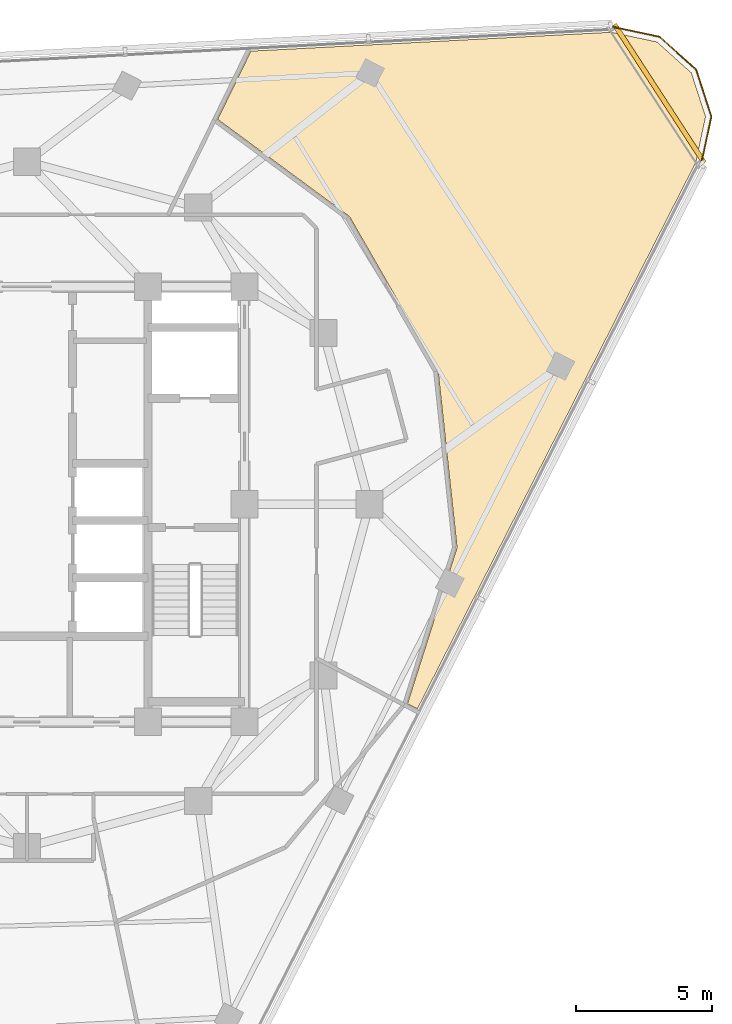
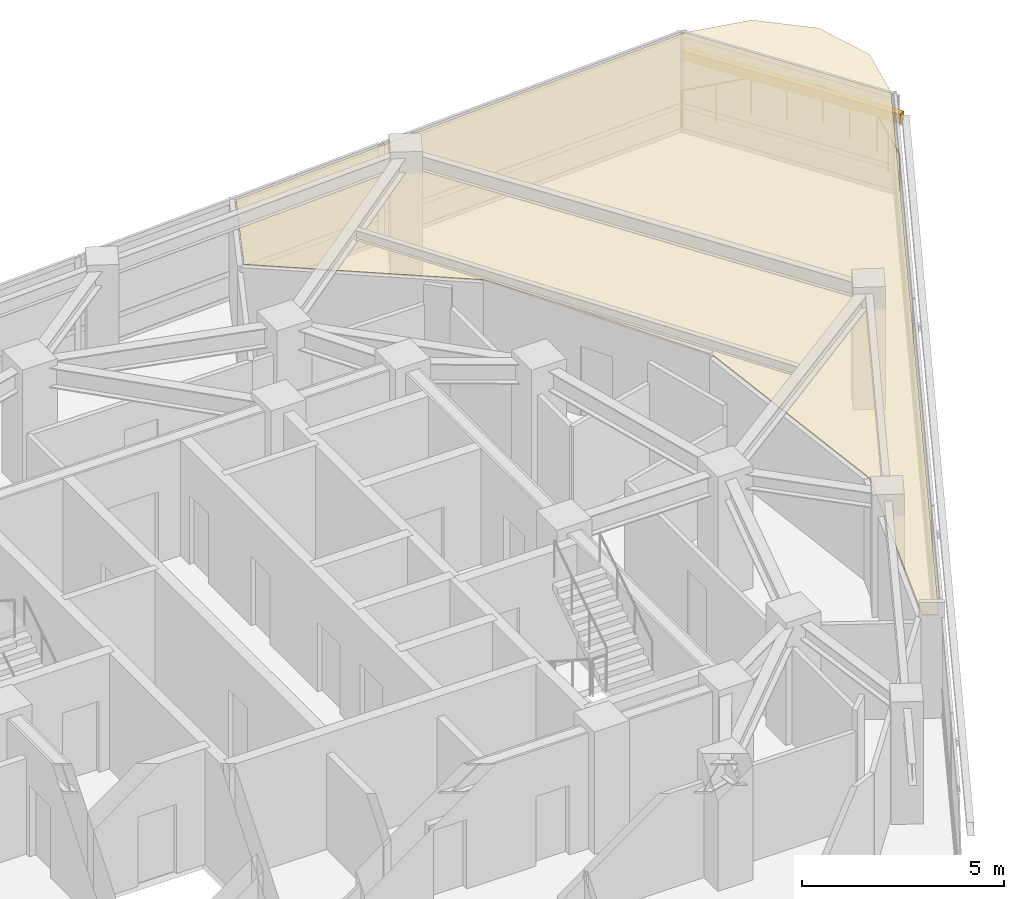
# One storey, part 15 of 15: 1 covering, 1 railing, 1 shading device.
"""IFC4 building model written with IfcOpenShell, lengths in metres."""

import ifcopenshell
import ifcopenshell.guid

model = None  # the IFC model being written
_history = None  # IfcOwnerHistory: only IFC2X3 demands one
_inside = {}  # id of a spatial element -> (the spatial element, [elements in it])
_under = {}  # id of a project, library or spatial element -> (it, [spatial elements below it])
_declared = {}  # id of a project -> (the project, [libraries it declares])
_typed = {}  # id of a type object -> (the type object, [elements of that type])
_made_of = {}  # id of a material, layer set ... -> (it, [elements and type objects made of it])


def new_model(schema):
    """Start an empty IFC model of exactly this schema.

    Asked for "IFC4X3", IfcOpenShell would pick the latest addendum, in which some entities
    have other attributes; the version numbers below select the first issue.
    IFC2X3 requires an IfcOwnerHistory on every rooted entity: one is made here for all.
    """
    global model, _history
    if schema == "IFC4X3":
        model = ifcopenshell.file(schema_version=(4, 3, 0, 0))
    else:
        model = ifcopenshell.file(schema=schema)
    _inside.clear()
    _under.clear()
    _declared.clear()
    _typed.clear()
    _made_of.clear()
    _history = None
    if model.schema == "IFC2X3":
        org = make("IfcOrganization", Name="unknown")
        user = make(
            "IfcPersonAndOrganization",
            ThePerson=make("IfcPerson", FamilyName="unknown"),
            TheOrganization=org,
        )
        app = make(
            "IfcApplication",
            ApplicationDeveloper=org,
            Version="unknown",
            ApplicationFullName="unknown",
            ApplicationIdentifier="unknown",
        )
        _history = make(
            "IfcOwnerHistory",
            OwningUser=user,
            OwningApplication=app,
            ChangeAction="ADDED",
            CreationDate=0,
        )
    return model


def make(cls, **values):
    """One entity of the class cls with the attributes given. An attribute that is None is left unset."""
    return model.create_entity(
        cls, **{name: value for name, value in values.items() if value is not None}
    )


def rooted(cls, **values):
    """An entity with a GlobalId (a new one), such as an element, a storey or a relation."""
    return make(cls, GlobalId=ifcopenshell.guid.new(), OwnerHistory=_history, **values)


def si_unit(unit_type, name, prefix=None):
    """IfcSIUnit, for example si_unit("LENGTHUNIT", "METRE", prefix="MILLI")."""
    return make("IfcSIUnit", UnitType=unit_type, Prefix=prefix, Name=name)


def assignment(units):
    """IfcUnitAssignment: the units of a project."""
    return None if units is None else make("IfcUnitAssignment", Units=units)


def point(xyz):
    """IfcCartesianPoint."""
    return None if xyz is None else make("IfcCartesianPoint", Coordinates=xyz)


def direction(xyz):
    """IfcDirection."""
    return None if xyz is None else make("IfcDirection", DirectionRatios=xyz)


def frame(location, z_axis=None, x_axis=None):
    """IfcAxis2Placement3D, a coordinate frame: its origin and axes. An axis left out is left unset."""
    return make(
        "IfcAxis2Placement3D",
        Location=point(location),
        Axis=direction(z_axis),
        RefDirection=direction(x_axis),
    )


def frame_2d(location, x_axis=None):
    """IfcAxis2Placement2D, a coordinate frame in the plane: its origin and x axis."""
    return make(
        "IfcAxis2Placement2D", Location=point(location), RefDirection=direction(x_axis)
    )


def origin():
    """The frame at (0, 0, 0) with its axes left unset."""
    return frame((0.0, 0.0, 0.0))


def origin_2d():
    """The frame at (0, 0) in the plane with its x axis left unset."""
    return frame_2d((0.0, 0.0))


def place(relative_to, where):
    """IfcLocalPlacement: puts the frame where relative to a parent placement (None: the world)."""
    return make(
        "IfcLocalPlacement", PlacementRelTo=relative_to, RelativePlacement=where
    )


def context(
    kind, dimensions, precision=None, world=None, true_north=None, identifier=None
):
    """IfcGeometricRepresentationContext, for example the 3D "Model" context."""
    return make(
        "IfcGeometricRepresentationContext",
        ContextIdentifier=identifier,
        ContextType=kind,
        CoordinateSpaceDimension=dimensions,
        Precision=precision,
        WorldCoordinateSystem=world,
        TrueNorth=true_north,
    )


def subcontext(parent, identifier, kind, view, scale=None):
    """IfcGeometricRepresentationSubContext, for example "Body" below "Model"."""
    return make(
        "IfcGeometricRepresentationSubContext",
        ContextIdentifier=identifier,
        ContextType=kind,
        ParentContext=parent,
        TargetScale=scale,
        TargetView=view,
    )


def project(units=None, contexts=None):
    """IfcProject with its units and contexts."""
    return rooted(
        "IfcProject",
        Name="project",
        RepresentationContexts=contexts,
        UnitsInContext=assignment(units),
    )


def spatial(cls, under=None, at=None, **own):
    """A site, building, storey or space (cls), placed at a placement, below another one or the project."""
    s = rooted(cls, ObjectPlacement=at, **own)
    if under is not None:
        _under.setdefault(under.id(), (under, []))[1].append(s)
    return s


def polyline(points):
    """IfcPolyline through the points."""
    return make("IfcPolyline", Points=[point(p) for p in points])


def profile(cls, at=None, kind="AREA", **sizes):
    """A parametric profile (cls). Its sizes go by their IFC names, for example OverallWidth=200.0."""
    return make(cls, ProfileType=kind, Position=at, **sizes)


def rectangle(**sizes):
    """IfcRectangleProfileDef."""
    return profile("IfcRectangleProfileDef", **sizes)


def circle(**sizes):
    """IfcCircleProfileDef."""
    return profile("IfcCircleProfileDef", **sizes)


def outline(outer, holes=None, kind="AREA"):
    """IfcArbitraryClosedProfileDef: a profile drawn as a closed curve; with holes, ...WithVoids."""
    if holes is None:
        return make("IfcArbitraryClosedProfileDef", ProfileType=kind, OuterCurve=outer)
    return make(
        "IfcArbitraryProfileDefWithVoids",
        ProfileType=kind,
        OuterCurve=outer,
        InnerCurves=holes,
    )


def extrude(swept, where, along, depth):
    """IfcExtrudedAreaSolid: the profile swept, set in the frame where, extruded along a direction by depth."""
    return make(
        "IfcExtrudedAreaSolid",
        SweptArea=swept,
        Position=where,
        ExtrudedDirection=direction(along),
        Depth=depth,
    )


def shape(context_of_items, identifier, shape_type, items):
    """IfcShapeRepresentation: the items that make up one representation, for example the "Body"."""
    return make(
        "IfcShapeRepresentation",
        ContextOfItems=context_of_items,
        RepresentationIdentifier=identifier,
        RepresentationType=shape_type,
        Items=items,
    )


def material(Name=None, Category=None):
    """IfcMaterial."""
    return make("IfcMaterial", Name=Name, Category=Category)


def layer(
    of_material, thickness, ventilated=None, Name=None, Category=None, Priority=None
):
    """IfcMaterialLayer: one layer of a wall or slab, of a material (None: an air gap)."""
    return make(
        "IfcMaterialLayer",
        Material=of_material,
        LayerThickness=thickness,
        IsVentilated=ventilated,
        Name=Name,
        Category=Category,
        Priority=Priority,
    )


def layer_set(layers, Name=None):
    """IfcMaterialLayerSet."""
    return make("IfcMaterialLayerSet", MaterialLayers=layers, LayerSetName=Name)


def made_of(thing, what):
    """Note that an element or type object is made of a material, layer set ...; save() writes the relation."""
    if what is not None:
        _made_of.setdefault(what.id(), (what, []))[1].append(thing)
    return thing


def type_object(cls, material=None, **own):
    """A type object (cls), such as IfcWallType, which elements share."""
    return made_of(rooted(cls, **own), material)


def element(
    cls,
    number,
    at=None,
    inside=None,
    cuts=None,
    type_object=None,
    material=None,
    context=None,
    identifier="Body",
    shape_type=None,
    held_by="IfcProductDefinitionShape",
    body=None,
    shapes=None,
    **own,
):
    """One element of the class cls, such as IfcWall. Its Tag is "e" and its number.

    at: its placement. inside: the storey or other place that contains it. cuts: it is an
    opening in that element (IfcRelVoidsElement). A single representation is given by context,
    identifier, shape_type and body (its items); several are given by shapes. held_by: the class
    of the entity that holds the representations. save() writes the other relations.
    """
    e = rooted(cls, Tag="e%d" % number, ObjectPlacement=at, **own)
    if body is not None:
        shapes = [shape(context, identifier, shape_type, body)]
    if shapes is not None:
        e.Representation = make(held_by, Representations=shapes)
    if inside is not None:
        _inside.setdefault(inside.id(), (inside, []))[1].append(e)
    if cuts is not None:
        rooted(
            "IfcRelVoidsElement", RelatingBuildingElement=cuts, RelatedOpeningElement=e
        )
    if type_object is not None:
        _typed.setdefault(type_object.id(), (type_object, []))[1].append(e)
    return made_of(e, material)


def aggregate(whole, parts):
    """IfcRelAggregates: a whole, such as a stair, and the parts it consists of."""
    return rooted("IfcRelAggregates", RelatingObject=whole, RelatedObjects=parts)


def save(model, path):
    """Write the relations noted so far, then the file.

    IfcRelAggregates (storeys below a building ...), IfcRelContainedInSpatialStructure (elements
    in a storey), IfcRelDefinesByType, IfcRelAssociatesMaterial and IfcRelDeclares: one each for
    every whole, place, type object, material and project.
    """
    for whole, parts in _under.values():
        aggregate(whole, parts)
    for where, things in _inside.values():
        rooted(
            "IfcRelContainedInSpatialStructure",
            RelatedElements=things,
            RelatingStructure=where,
        )
    for kind, things in _typed.values():
        rooted("IfcRelDefinesByType", RelatedObjects=things, RelatingType=kind)
    for what, things in _made_of.values():
        rooted("IfcRelAssociatesMaterial", RelatedObjects=things, RelatingMaterial=what)
    for by, libraries in _declared.values():
        rooted("IfcRelDeclares", RelatingContext=by, RelatedDefinitions=libraries)
    model.write(path)


model = new_model("IFC4")

# Units and contexts
model_context = context("Model", 3, precision=1e-05, world=origin(), true_north=direction((0.0, 1.0)))
body_context = subcontext(model_context, "Body", "Model", "MODEL_VIEW")
ifc_project = project(units=[si_unit("LENGTHUNIT", "METRE"), si_unit("AREAUNIT", "SQUARE_METRE"), si_unit("VOLUMEUNIT", "CUBIC_METRE"), si_unit("PLANEANGLEUNIT", "RADIAN"), si_unit("MASSUNIT", "GRAM", prefix="KILO")], contexts=[model_context])

# Site, building, storey
site_placement = place(None, origin())
site = spatial("IfcSite", under=ifc_project, at=site_placement, CompositionType="ELEMENT")
building_placement = place(site_placement, origin())
building = spatial("IfcBuilding", under=site, at=building_placement, Name="Terralouvre Media Tower", CompositionType="ELEMENT")
storey_placement = place(building_placement, frame((0.0, 0.0, 263.300048828125)))
storey = spatial("IfcBuildingStorey", under=building, at=storey_placement, Name="L68", CompositionType="ELEMENT", Elevation=263.300048828125)

# Covering
ifc_material_1 = material(Name="Perforated aluminium acoustic ceiling baffle", Category="aluminium")
ifc_layer_1 = layer(ifc_material_1, 0.0400390625, Name="Perforated Acoustic Metal Tile Ceiling CL-AC1")
ifc_layer_set_1 = layer_set([ifc_layer_1], Name="Perforated aluminium acoustic ceiling baffle")
covering_type = type_object("IfcCoveringType", Name="Perforated Acoustic Metal Tile Ceiling CL-AC1", PredefinedType="CEILING", material=ifc_layer_set_1)
covering_placement = place(storey_placement, frame((0.0, 0.0, 2.97998046875), z_axis=(0.0, 0.0, 1.0), x_axis=(0.45399049974, 0.891006524188, 0.0)))
element("IfcCovering", 1, at=covering_placement, inside=storey, type_object=covering_type, Name="L68 Breaking Desk Editorial Office 6 Acoustic Ceiling", PredefinedType="CEILING", context=body_context, shape_type="SweptSolid", body=[
    extrude(outline(polyline([(14.824462890625, -5.742919921875), (14.822265625, -5.753173828125), (14.819091796875, -5.762939453125), (14.81494140625, -5.7724609375), (14.8095703125, -5.781494140625), (11.255859375, -11.227294921875), (11.249755859375, -11.23583984375), (11.24267578125, -11.243408203125), (11.235107421875, -11.25048828125), (11.2265625, -11.256591796875), (5.781494140625, -14.809814453125), (5.7724609375, -14.815185546875), (5.762939453125, -14.8193359375), (5.753173828125, -14.822509765625), (5.742919921875, -14.824951171875), (-0.176025390625, -15.801513671875), (-0.182861328125, -16.212158203125), (22.371337890625, -16.212646484375), (24.036376953125, -15.766845703125), (25.234130859375, -14.569091796875), (25.672119140625, -12.9326171875), (25.226318359375, -11.267578125), (18.591552734375, 0.224853515625), (15.8017578125, 0.175537109375), (14.824462890625, -5.742919921875)])), origin(), (0.0, 0.0, 1.0), 0.0400390625),
])

# Railing
ifc_material_2 = material(Name="Stainless steel 316 handrail and balustrade", Category="steel")
ifc_layer_2 = layer(ifc_material_2, 0.06005859375, Name="Roof Edge Safety Guardrail GR-ROOF1")
ifc_layer_set_2 = layer_set([ifc_layer_2], Name="Stainless steel 316 handrail and balustrade")
railing_type = type_object("IfcRailingType", Name="Roof Edge Safety Guardrail GR-ROOF1", PredefinedType="GUARDRAIL", material=ifc_layer_set_2)
railing_placement = place(storey_placement, frame((24.797607421875, 12.491455078125, 0.0)))
element("IfcRailing", 2, at=railing_placement, inside=storey, type_object=railing_type, Name="L68 Wind-Corner Perimeter Safety Guardrail C1", PredefinedType="GUARDRAIL", context=body_context, shape_type="SweptSolid", body=[
    extrude(circle(Radius=0.02099609375, at=origin_2d()), frame((0.0, 0.0, 1.12890625), z_axis=(0.208129595218, 0.978101258354, 0.0), x_axis=(-0.978101258354, 0.208129595218, 0.0)), (0.0, 0.0, 1.0), 1.81103515625),
    extrude(circle(Radius=0.02099609375, at=origin_2d()), frame((0.376953125, 1.771484375, 1.12890625), z_axis=(-0.308857436997, 0.951108344833, 0.0), x_axis=(-0.951108344833, -0.308857436997, 0.0)), (0.0, 0.0, 1.0), 1.81103515625),
    extrude(circle(Radius=0.02099609375, at=origin_2d()), frame((-0.182373046875, 3.493896484375, 1.12890625), z_axis=(-0.743274034333, 0.668987077518, 0.0), x_axis=(-0.668987077518, -0.743274034333, 0.0)), (0.0, 0.0, 1.0), 1.810791015625),
    extrude(circle(Radius=0.02099609375, at=origin_2d()), frame((-1.5283203125, 4.705322265625, 1.12890625), z_axis=(-0.97818932942, 0.207715275821, 0.0), x_axis=(-0.207715275821, -0.97818932942, 0.0)), (0.0, 0.0, 1.0), 1.811279296875),
    extrude(circle(Radius=0.01904296875, at=origin_2d()), origin(), (0.0, 0.0, 1.0), 1.10791015625),
    extrude(circle(Radius=0.01904296875, at=origin_2d()), frame((0.1884765625, 0.8857421875, 0.0)), (0.0, 0.0, 1.0), 1.10791015625),
    extrude(circle(Radius=0.01904296875, at=origin_2d()), frame((0.376953125, 1.771484375, 0.0)), (0.0, 0.0, 1.0), 1.10791015625),
    extrude(circle(Radius=0.01904296875, at=origin_2d()), frame((0.09716796875, 2.6328125, 0.0)), (0.0, 0.0, 1.0), 1.10791015625),
    extrude(circle(Radius=0.01904296875, at=origin_2d()), frame((-0.182373046875, 3.493896484375, 0.0)), (0.0, 0.0, 1.0), 1.10791015625),
    extrude(circle(Radius=0.01904296875, at=origin_2d()), frame((-0.85546875, 4.099609375, 0.0)), (0.0, 0.0, 1.0), 1.10791015625),
    extrude(circle(Radius=0.01904296875, at=origin_2d()), frame((-1.5283203125, 4.705322265625, 0.0)), (0.0, 0.0, 1.0), 1.10791015625),
    extrude(circle(Radius=0.01904296875, at=origin_2d()), frame((-2.4140625, 4.8935546875, 0.0)), (0.0, 0.0, 1.0), 1.10791015625),
    extrude(circle(Radius=0.01904296875, at=origin_2d()), frame((-3.300048828125, 5.08154296875, 0.0)), (0.0, 0.0, 1.0), 1.10791015625),
])

# Shading device
ifc_material_3 = material(Name="Extruded terracotta baguette sunshade louvres", Category="masonry")
shading_device_type = type_object("IfcShadingDeviceType", Name="Terracotta Baguette Sunshade Louvre Screen TB-LV1", PredefinedType="USERDEFINED", material=ifc_material_3)
shading_device_placement = place(storey_placement, frame((23.2607421875, 15.105712890625, 2.02392578125), z_axis=(0.0, 0.0, 1.0), x_axis=(-0.544639197097, 0.838670462688, 0.0)))
element("IfcShadingDevice", 3, at=shading_device_placement, inside=storey, type_object=shading_device_type, Name="CW-L68-C1 Terracotta Baguette Sunshade Louvre", ObjectType="BAGUETTE", PredefinedType="USERDEFINED", context=body_context, shape_type="SweptSolid", body=[
    extrude(rectangle(XDim=6.062255859375, YDim=0.179931640625, at=origin_2d()), origin(), (0.0, 0.0, 1.0), 0.280029296875),
])

save(model, "model.ifc")
